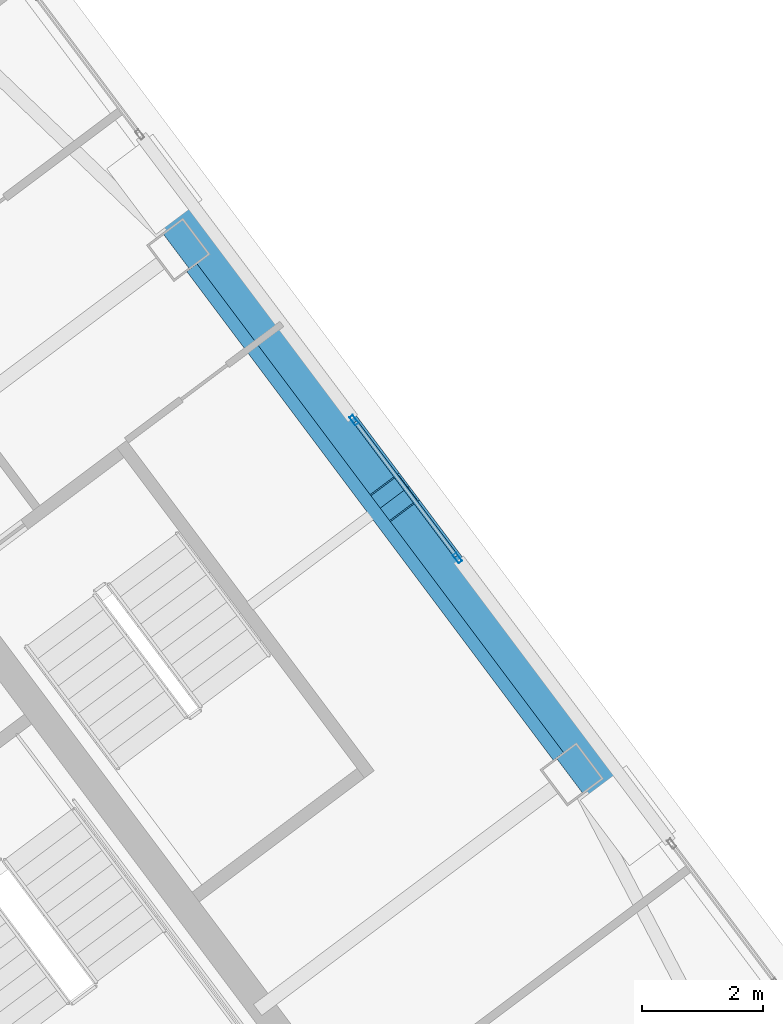
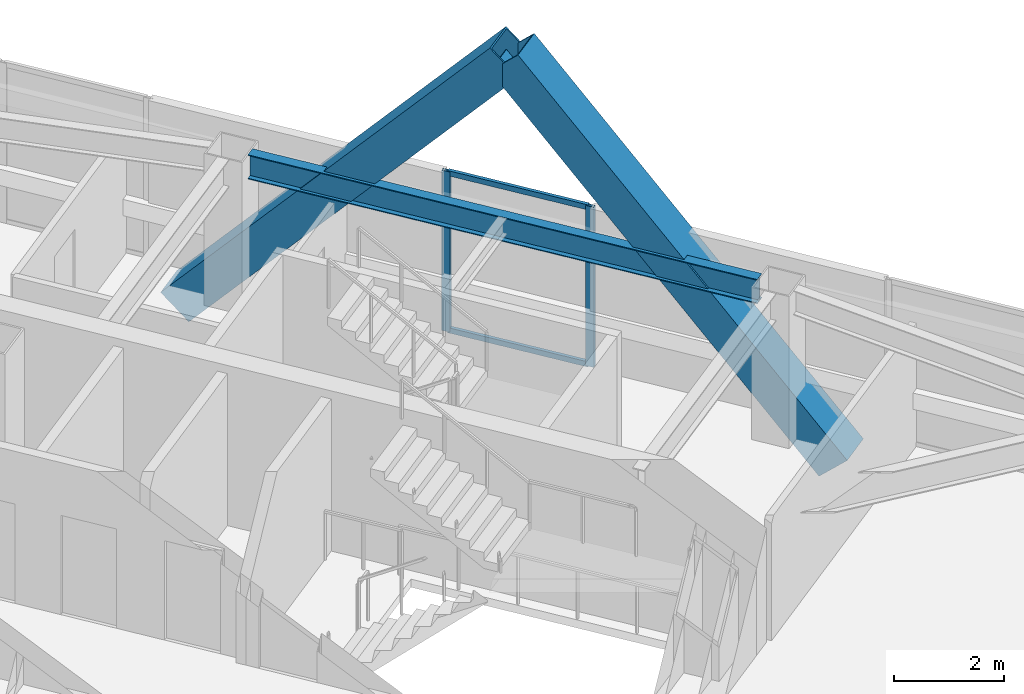
# One storey, part 25 of 39: 6 members, 1 beam, 1 element without a shape of its own.
"""IFC4 building model written with IfcOpenShell, lengths in metres."""

from ifc_helpers import new_model, si_unit, direction, frame, origin, origin_2d, place, context, subcontext, project, spatial, hollow_rectangle, i_section, extrude, material, material_profile, profile_set, type_object, element, aggregate, save


model = new_model("IFC4")

# Units and contexts
model_context = context("Model", 3, precision=1e-05, world=origin(), true_north=direction((0.0, 1.0)))
body_context = subcontext(model_context, "Body", "Model", "MODEL_VIEW")
ifc_project = project(units=[si_unit("LENGTHUNIT", "METRE"), si_unit("AREAUNIT", "SQUARE_METRE"), si_unit("VOLUMEUNIT", "CUBIC_METRE"), si_unit("PLANEANGLEUNIT", "RADIAN"), si_unit("MASSUNIT", "GRAM", prefix="KILO")], contexts=[model_context])

# Site, building, storey
site_placement = place(None, origin())
site = spatial("IfcSite", under=ifc_project, at=site_placement, CompositionType="ELEMENT")
building_placement = place(site_placement, origin())
building = spatial("IfcBuilding", under=site, at=building_placement, Name="Tashvorn Skyway Center", CompositionType="ELEMENT")
storey_placement = place(building_placement, frame((0.0, 0.0, 239.699951171875)))
storey = spatial("IfcBuildingStorey", under=building, at=storey_placement, Name="L65", CompositionType="ELEMENT", Elevation=239.699951171875)

# Beam
ifc_material_1 = material(Name="Steel ASTM A992 Grade 50", Category="steel")
ifc_material_profile_1 = material_profile(ifc_material_1, i_section(OverallWidth=0.2109375, OverallDepth=0.5390625, WebThickness=0.01171875, FlangeThickness=0.018798828125, at=origin_2d()), Name="W21X73")
ifc_profile_set_1 = profile_set([ifc_material_profile_1], Name="Steel ASTM A992 Grade 50")
beam_type = type_object("IfcBeamType", Name="BM-SPANDREL-W21X73", PredefinedType="SPANDREL", material=ifc_profile_set_1)
beam_placement = place(storey_placement, frame((128.41796875, 36.52587890625, 3.1005859375), z_axis=(-0.599988351091, 0.800008736549, 0.0), x_axis=(-0.800008736549, -0.599988351091, 0.0)))
element("IfcBeam", 1, at=beam_placement, inside=storey, type_object=beam_type, Name="Tower 2 L65 Spandrel Beam 05", PredefinedType="SPANDREL", context=body_context, shape_type="SweptSolid", body=[
    extrude(i_section(OverallWidth=0.2109375, OverallDepth=0.5390625, WebThickness=0.01171875, FlangeThickness=0.018798828125, at=origin_2d()), origin(), (0.0, 0.0, 1.0), 10.06005859375),
])

# Curtain wall, members
ifc_material_2 = material(Name="Thermally broken bronze-anodized aluminium 6063-T6", Category="aluminium")
curtain_wall_type = type_object("IfcCurtainWallType", Name="CW-CW-Z5", PredefinedType="NOTDEFINED", material=ifc_material_2)
curtain_wall_placement = place(storey_placement, origin())
curtain_wall = element("IfcCurtainWall", 2, at=curtain_wall_placement, inside=storey, type_object=curtain_wall_type, Name="Tower 2 L65 East Unitised Curtain Wall Glazing Group 2", PredefinedType="NOTDEFINED")
ifc_material_profile_2 = material_profile(ifc_material_2, hollow_rectangle(XDim=0.070068359375, YDim=0.1650390625, WallThickness=0.00390625, at=origin_2d()), Name="ALU-MULL-70x165")
ifc_profile_set_2 = profile_set([ifc_material_profile_2], Name="Thermally broken bronze-anodized aluminium 6063-T6")
member_type_1 = type_object("IfcMemberType", Name="CWM-CW-Z5", PredefinedType="MULLION", material=ifc_profile_set_2)
member_1_placement = place(storey_placement, frame((125.052978515625, 42.062744140625, 0.0), z_axis=(0.0, 0.0, 1.0), x_axis=(0.800008256656, 0.599988990967, 0.0)))
member_1 = element("IfcMember", 3, at=member_1_placement, type_object=member_type_1, Name="CW-Z5 mullion 1", PredefinedType="MULLION", context=body_context, shape_type="SweptSolid", body=[
    extrude(hollow_rectangle(XDim=0.070068359375, YDim=0.1650390625, WallThickness=0.00390625, at=origin_2d()), origin(), (0.0, 0.0, 1.0), 3.550048828125),
])
member_2_placement = place(storey_placement, frame((126.7548828125, 39.793212890625, 0.0), z_axis=(0.0, 0.0, 1.0), x_axis=(0.800008256656, 0.599988990967, 0.0)))
member_2 = element("IfcMember", 4, at=member_2_placement, type_object=member_type_1, Name="CW-Z5 mullion 2", PredefinedType="MULLION", context=body_context, shape_type="SweptSolid", body=[
    extrude(hollow_rectangle(XDim=0.070068359375, YDim=0.1650390625, WallThickness=0.00390625, at=origin_2d()), origin(), (0.0, 0.0, 1.0), 3.550048828125),
])
ifc_material_profile_3 = material_profile(ifc_material_2, hollow_rectangle(XDim=0.070068359375, YDim=0.114990234375, WallThickness=0.00390625, at=origin_2d()), Name="ALU-TRAN-70x115")
ifc_profile_set_3 = profile_set([ifc_material_profile_3], Name="Thermally broken bronze-anodized aluminium 6063-T6")
member_type_2 = type_object("IfcMemberType", Name="CWT-CW-Z5", PredefinedType="USERDEFINED", material=ifc_profile_set_3)
member_3_placement = place(storey_placement, frame((125.073974609375, 42.03466796875, 0.03515625), z_axis=(0.599971761508, -0.80002117809, 0.0), x_axis=(0.80002117809, 0.599971761508, 0.0)))
member_3 = element("IfcMember", 5, at=member_3_placement, type_object=member_type_2, Name="CW-Z5 transom 1.1", ObjectType="TRANSOM", PredefinedType="USERDEFINED", context=body_context, shape_type="SweptSolid", body=[
    extrude(hollow_rectangle(XDim=0.070068359375, YDim=0.114990234375, WallThickness=0.00390625, at=origin_2d()), origin(), (0.0, 0.0, 1.0), 2.7666015625),
])
member_4_placement = place(storey_placement, frame((125.073974609375, 42.03466796875, 3.51513671875), z_axis=(0.599971761508, -0.80002117809, 0.0), x_axis=(0.80002117809, 0.599971761508, 0.0)))
member_4 = element("IfcMember", 6, at=member_4_placement, type_object=member_type_2, Name="CW-Z5 transom 1.2", ObjectType="TRANSOM", PredefinedType="USERDEFINED", context=body_context, shape_type="SweptSolid", body=[
    extrude(hollow_rectangle(XDim=0.070068359375, YDim=0.114990234375, WallThickness=0.00390625, at=origin_2d()), origin(), (0.0, 0.0, 1.0), 2.7666015625),
])
aggregate(curtain_wall, [member_1, member_2, member_3, member_4])

# Members
ifc_material_3 = material(Name="Steel ASTM A572 Grade 50", Category="steel")
ifc_material_profile_4 = material_profile(ifc_material_3, hollow_rectangle(XDim=0.75, YDim=0.75, WallThickness=0.031982421875, at=origin_2d()), Name="BOX750x750x32")
ifc_profile_set_4 = profile_set([ifc_material_profile_4], Name="Steel ASTM A572 Grade 50")
member_type_3 = type_object("IfcMemberType", Name="MEM-MB-750", PredefinedType="BRACE", material=ifc_profile_set_4)
for number, where, z_axis, x_axis, name in (
    (7, (129.56396484375, 35.548095703125, -0.449951171875), (-0.402056002686, 0.536083060048, 0.742270788482), (-0.800004507257, -0.599993990277, 0.0), "Tower 2 Zone 6 E Chevron Mega-Brace L2"),
    (8, (121.763916015625, 45.947998046875, -0.449951171875), (0.402077103157, -0.536077635064, 0.742263276945), (0.799986478264, 0.600018028558, 0.0), "Tower 2 Zone 6 E Chevron Mega-Brace R2"),
):
    element("IfcMember", number, at=place(storey_placement, frame(where, z_axis=z_axis, x_axis=x_axis)), inside=storey, type_object=member_type_3, Name=name, PredefinedType="BRACE", context=body_context, shape_type="SweptSolid", body=[
        extrude(hollow_rectangle(XDim=0.75, YDim=0.75, WallThickness=0.031982421875, at=origin_2d()), origin(), (0.0, 0.0, 1.0), 9.699951171875),
    ])

save(model, "model.ifc")
